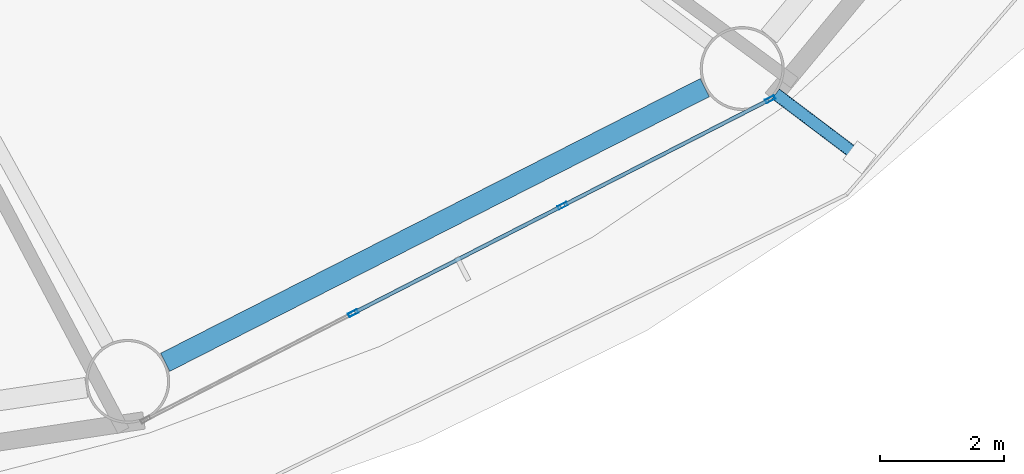
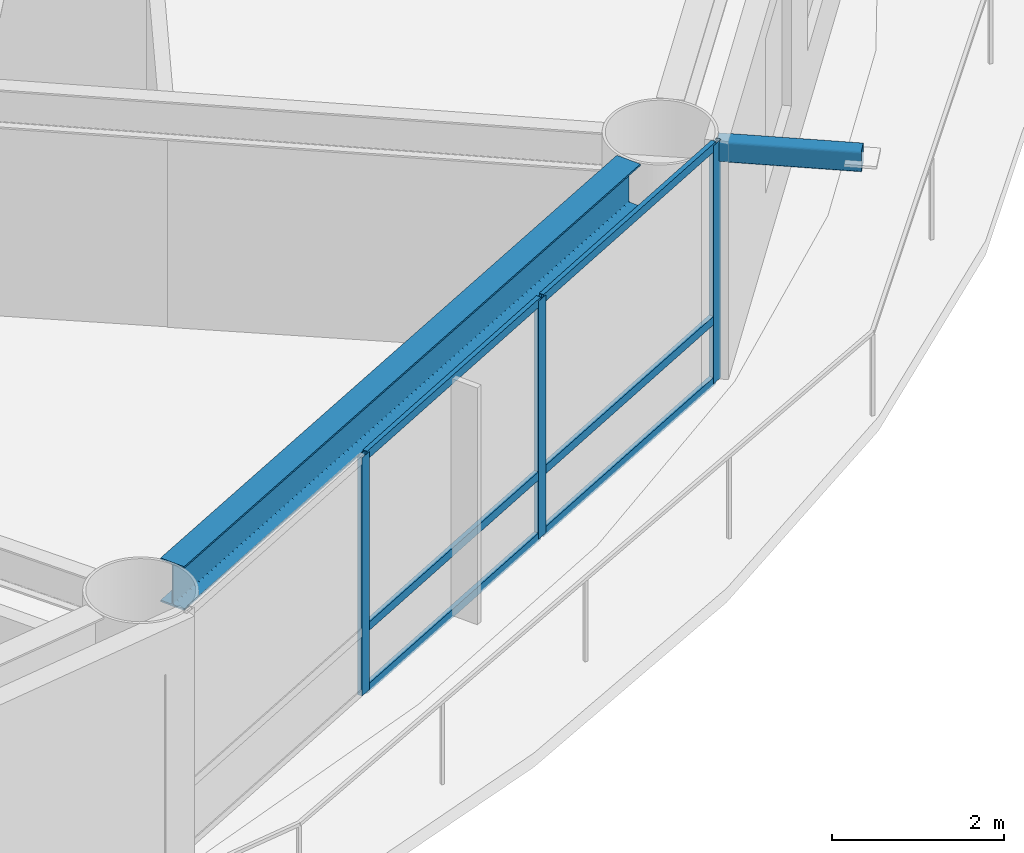
# One storey, part 8 of 26: 10 members, 1 beam, 1 element without a shape of its own.
"""IFC4 building model written with IfcOpenShell, lengths in metres."""

from ifc_helpers import new_model, si_unit, direction, frame, origin, origin_2d, place, context, subcontext, project, spatial, hollow_rectangle, i_section, extrude, material, layer, layer_set, material_profile, profile_set, type_object, element, aggregate, save


model = new_model("IFC4")

# Units and contexts
model_context = context("Model", 3, precision=1e-05, world=origin(), true_north=direction((0.0, 1.0)))
body_context = subcontext(model_context, "Body", "Model", "MODEL_VIEW")
ifc_project = project(units=[si_unit("LENGTHUNIT", "METRE"), si_unit("AREAUNIT", "SQUARE_METRE"), si_unit("VOLUMEUNIT", "CUBIC_METRE"), si_unit("PLANEANGLEUNIT", "RADIAN"), si_unit("MASSUNIT", "GRAM", prefix="KILO")], contexts=[model_context])

# Site, building, storey
site_placement = place(None, origin())
site = spatial("IfcSite", under=ifc_project, at=site_placement, CompositionType="ELEMENT")
building_placement = place(site_placement, origin())
building = spatial("IfcBuilding", under=site, at=building_placement, Name="Sarneth Arch Tower", CompositionType="ELEMENT")
storey_placement = place(building_placement, frame((0.0, 0.0, 46.199951171875)))
storey = spatial("IfcBuildingStorey", under=building, at=storey_placement, Name="L10", CompositionType="ELEMENT", Elevation=46.199951171875)

# Beam
ifc_material_1 = material(Name="Steel S355", Category="steel")
ifc_material_profile_1 = material_profile(ifc_material_1, i_section(OverallWidth=0.326904296875, OverallDepth=0.6220703125, WebThickness=0.015380859375, FlangeThickness=0.0244140625, FilletRadius=0.01904296875, at=origin_2d()), Name="W610x195")
ifc_profile_set_1 = profile_set([ifc_material_profile_1], Name="Steel S355")
beam_type = type_object("IfcBeamType", Name="BM-SPAN-610A", PredefinedType="SPANDREL", material=ifc_profile_set_1)
beam_placement = place(storey_placement, frame((60.41943359375, 20.872314453125, 3.069091796875), z_axis=(0.8911738076, 0.453662037919, 0.0), x_axis=(-0.453662037919, 0.8911738076, 0.0)))
element("IfcBeam", 1, at=beam_placement, inside=storey, type_object=beam_type, Name="L10 Perimeter spandrel beam 14", PredefinedType="SPANDREL", context=body_context, shape_type="SweptSolid", body=[
    extrude(i_section(OverallWidth=0.326904296875, OverallDepth=0.6220703125, WebThickness=0.015380859375, FlangeThickness=0.0244140625, FilletRadius=0.01904296875, at=origin_2d()), origin(), (0.0, 0.0, 1.0), 9.735107421875),
])

# Curtain wall, members
ifc_material_2 = material(Name="Anodised aluminium Type AA25 and solar-control low-e laminated IGU", Category="aluminium")
ifc_layer = layer(ifc_material_2, 0.159912109375)
ifc_layer_set = layer_set([ifc_layer], Name="Anodised aluminium Type AA25 and solar-control low-e laminated IGU")
curtain_wall_type = type_object("IfcCurtainWallType", Name="CW-HOTEL-LOW", PredefinedType="NOTDEFINED", material=ifc_layer_set)
curtain_wall_placement = place(storey_placement, origin())
curtain_wall = element("IfcCurtainWall", 2, at=curtain_wall_placement, inside=storey, type_object=curtain_wall_type, Name="L10 Unitised curtain wall facet 14", PredefinedType="NOTDEFINED")
ifc_material_3 = material(Name="Anodised Aluminium 6063-T6", Category="aluminium")
ifc_material_profile_2 = material_profile(ifc_material_3, hollow_rectangle(XDim=0.06005859375, YDim=0.159912109375, WallThickness=0.00390625, at=origin_2d()), Name="AL-MULL-160x60x4")
ifc_profile_set_2 = profile_set([ifc_material_profile_2], Name="Anodised Aluminium 6063-T6")
member_type_1 = type_object("IfcMemberType", Name="CW-MULLION", PredefinedType="MULLION", material=ifc_profile_set_2)
member_1_placement = place(storey_placement, frame((63.443359375, 21.663330078125, 0.0), z_axis=(0.0, 0.0, 1.0), x_axis=(-0.456245197127, 0.889854100456, 0.0)))
member_1 = element("IfcMember", 3, at=member_1_placement, type_object=member_type_1, Name="CW-SYS-3 mullion 2", PredefinedType="MULLION", context=body_context, shape_type="SweptSolid", body=[
    extrude(hollow_rectangle(XDim=0.06005859375, YDim=0.159912109375, WallThickness=0.00390625, at=origin_2d()), origin(), (0.0, 0.0, 1.0), 3.380126953125),
])
member_2_placement = place(storey_placement, frame((66.80859375, 23.388671875, 0.0), z_axis=(0.0, 0.0, 1.0), x_axis=(-0.456245197127, 0.889854100456, 0.0)))
member_2 = element("IfcMember", 4, at=member_2_placement, type_object=member_type_1, Name="CW-SYS-3 mullion 3", PredefinedType="MULLION", context=body_context, shape_type="SweptSolid", body=[
    extrude(hollow_rectangle(XDim=0.06005859375, YDim=0.159912109375, WallThickness=0.00390625, at=origin_2d()), origin(), (0.0, 0.0, 1.0), 3.380126953125),
])
member_3_placement = place(storey_placement, frame((70.1474609375, 25.1005859375, 0.0), z_axis=(0.0, 0.0, 1.0), x_axis=(-0.456245197127, 0.889854100456, 0.0)))
member_3 = element("IfcMember", 5, at=member_3_placement, type_object=member_type_1, Name="CW-SYS-3 mullion 4", PredefinedType="MULLION", context=body_context, shape_type="SweptSolid", body=[
    extrude(hollow_rectangle(XDim=0.06005859375, YDim=0.159912109375, WallThickness=0.00390625, at=origin_2d()), origin(), (0.0, 0.0, 1.0), 3.380126953125),
])
ifc_material_4 = material(Name="Anodised Aluminium 6063-T6", Category="aluminium")
ifc_material_profile_3 = material_profile(ifc_material_4, hollow_rectangle(XDim=0.06005859375, YDim=0.1201171875, WallThickness=0.00390625, at=origin_2d()), Name="AL-TRAN-120x60x4")
ifc_profile_set_3 = profile_set([ifc_material_profile_3], Name="Anodised Aluminium 6063-T6")
member_type_2 = type_object("IfcMemberType", Name="CW-TRANSOM", PredefinedType="USERDEFINED", material=ifc_profile_set_3)
member_4_placement = place(storey_placement, frame((63.469970703125, 21.677001953125, 0.030029296875), z_axis=(0.889868677022, 0.456216766083, 0.0), x_axis=(-0.456216766083, 0.889868677022, 0.0)))
member_4 = element("IfcMember", 6, at=member_4_placement, type_object=member_type_2, Name="CW-SYS-3 transom 2.1", ObjectType="TRANSOM", PredefinedType="USERDEFINED", context=body_context, shape_type="SweptSolid", body=[
    extrude(hollow_rectangle(XDim=0.06005859375, YDim=0.1201171875, WallThickness=0.00390625, at=origin_2d()), origin(), (0.0, 0.0, 1.0), 3.721923828125),
])
member_5_placement = place(storey_placement, frame((63.469970703125, 21.677001953125, 0.900146484375), z_axis=(0.889868677022, 0.456216766083, 0.0), x_axis=(-0.456216766083, 0.889868677022, 0.0)))
member_5 = element("IfcMember", 7, at=member_5_placement, type_object=member_type_2, Name="CW-SYS-3 transom 2.2", ObjectType="TRANSOM", PredefinedType="USERDEFINED", context=body_context, shape_type="SweptSolid", body=[
    extrude(hollow_rectangle(XDim=0.06005859375, YDim=0.1201171875, WallThickness=0.00390625, at=origin_2d()), origin(), (0.0, 0.0, 1.0), 3.721923828125),
])
member_6_placement = place(storey_placement, frame((63.469970703125, 21.677001953125, 3.35009765625), z_axis=(0.889868677022, 0.456216766083, 0.0), x_axis=(-0.456216766083, 0.889868677022, 0.0)))
member_6 = element("IfcMember", 8, at=member_6_placement, type_object=member_type_2, Name="CW-SYS-3 transom 2.3", ObjectType="TRANSOM", PredefinedType="USERDEFINED", context=body_context, shape_type="SweptSolid", body=[
    extrude(hollow_rectangle(XDim=0.06005859375, YDim=0.1201171875, WallThickness=0.00390625, at=origin_2d()), origin(), (0.0, 0.0, 1.0), 3.721923828125),
])
member_7_placement = place(storey_placement, frame((66.83544921875, 23.402587890625, 0.030029296875), z_axis=(0.889871845224, 0.456210586327, 0.0), x_axis=(-0.456210586327, 0.889871845224, 0.0)))
member_7 = element("IfcMember", 9, at=member_7_placement, type_object=member_type_2, Name="CW-SYS-3 transom 3.1", ObjectType="TRANSOM", PredefinedType="USERDEFINED", context=body_context, shape_type="SweptSolid", body=[
    extrude(hollow_rectangle(XDim=0.06005859375, YDim=0.1201171875, WallThickness=0.00390625, at=origin_2d()), origin(), (0.0, 0.0, 1.0), 3.69189453125),
])
member_8_placement = place(storey_placement, frame((66.83544921875, 23.402587890625, 0.900146484375), z_axis=(0.889871845224, 0.456210586327, 0.0), x_axis=(-0.456210586327, 0.889871845224, 0.0)))
member_8 = element("IfcMember", 10, at=member_8_placement, type_object=member_type_2, Name="CW-SYS-3 transom 3.2", ObjectType="TRANSOM", PredefinedType="USERDEFINED", context=body_context, shape_type="SweptSolid", body=[
    extrude(hollow_rectangle(XDim=0.06005859375, YDim=0.1201171875, WallThickness=0.00390625, at=origin_2d()), origin(), (0.0, 0.0, 1.0), 3.69189453125),
])
member_9_placement = place(storey_placement, frame((66.83544921875, 23.402587890625, 3.35009765625), z_axis=(0.889871845224, 0.456210586327, 0.0), x_axis=(-0.456210586327, 0.889871845224, 0.0)))
member_9 = element("IfcMember", 11, at=member_9_placement, type_object=member_type_2, Name="CW-SYS-3 transom 3.3", ObjectType="TRANSOM", PredefinedType="USERDEFINED", context=body_context, shape_type="SweptSolid", body=[
    extrude(hollow_rectangle(XDim=0.06005859375, YDim=0.1201171875, WallThickness=0.00390625, at=origin_2d()), origin(), (0.0, 0.0, 1.0), 3.69189453125),
])
aggregate(curtain_wall, [member_1, member_2, member_3, member_4, member_5, member_6, member_7, member_8, member_9])

# Member
ifc_material_5 = material(Name="Steel S355", Category="steel")
ifc_material_profile_4 = material_profile(ifc_material_5, hollow_rectangle(XDim=0.199951171875, YDim=0.300048828125, WallThickness=0.012451171875, InnerFilletRadius=0.018798828125, OuterFilletRadius=0.03125, at=origin_2d()), Name="RHS300x200x12.5")
ifc_profile_set_4 = profile_set([ifc_material_profile_4], Name="Steel S355")
member_type_3 = type_object("IfcMemberType", Name="MEM-CANT-STRUT", PredefinedType="STRUT", material=ifc_profile_set_4)
member_10_placement = place(storey_placement, frame((70.235107421875, 25.18798828125, 3.219970703125), z_axis=(0.797657639118, -0.603110512889, 0.0), x_axis=(0.603110512889, 0.797657639118, 0.0)))
element("IfcMember", 12, at=member_10_placement, inside=storey, type_object=member_type_3, Name="L10 Balcony cantilever bracket 15", PredefinedType="STRUT", context=body_context, shape_type="SweptSolid", body=[
    extrude(hollow_rectangle(XDim=0.199951171875, YDim=0.300048828125, WallThickness=0.012451171875, InnerFilletRadius=0.018798828125, OuterFilletRadius=0.03125, at=origin_2d()), origin(), (0.0, 0.0, 1.0), 1.69287109375),
])

save(model, "model.ifc")
